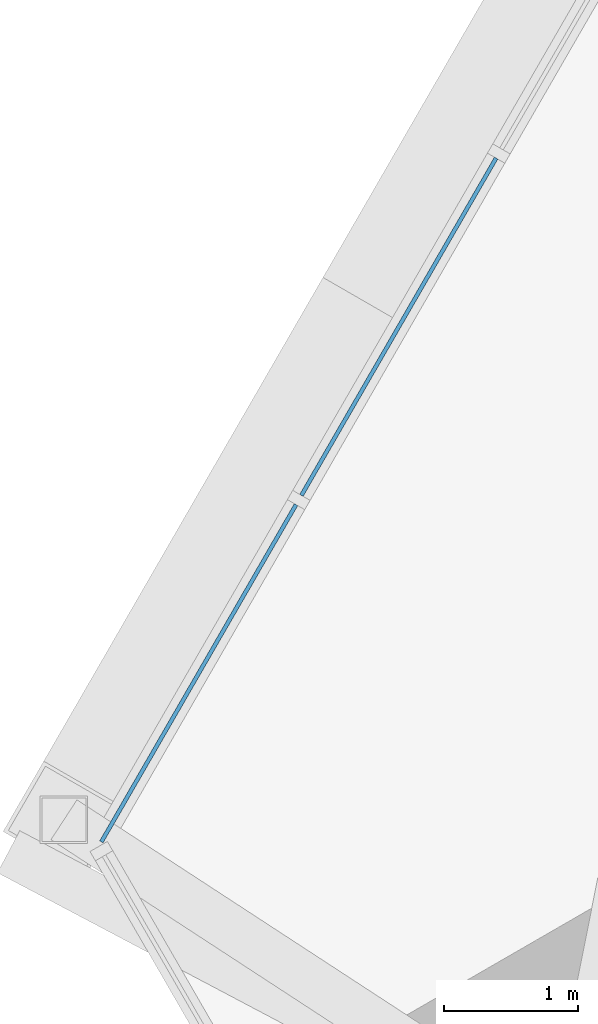
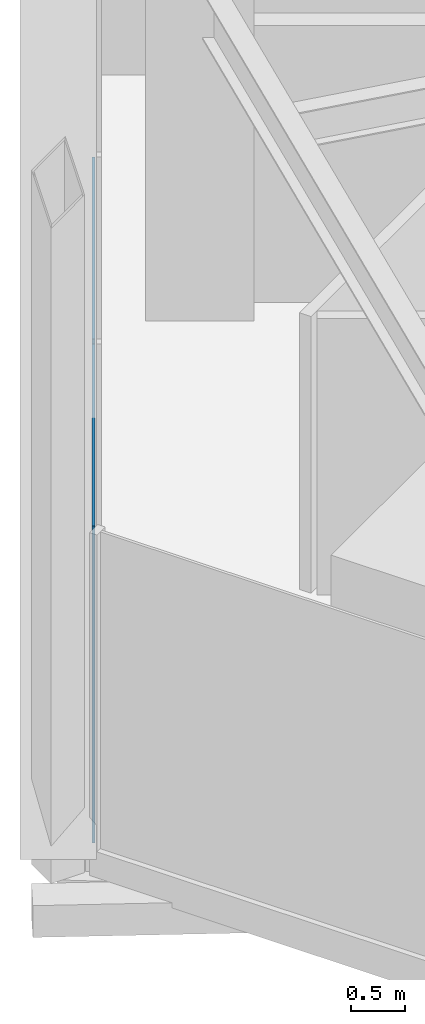
# One storey, part 9 of 24: 2 plates, 2 openings, 1 element without a shape of its own.
"""IFC4 building model written with IfcOpenShell, lengths in metres."""

from ifc_helpers import new_model, si_unit, direction, frame, frame_2d, origin, place, context, subcontext, project, spatial, polyline, rectangle, outline, extrude, material, layer, layer_set, type_object, element, aggregate, save


model = new_model("IFC4")

# Units and contexts
model_context = context("Model", 3, precision=1e-05, world=origin(), true_north=direction((0.0, 1.0)))
body_context = subcontext(model_context, "Body", "Model", "MODEL_VIEW")
ifc_project = project(units=[si_unit("LENGTHUNIT", "METRE"), si_unit("AREAUNIT", "SQUARE_METRE"), si_unit("VOLUMEUNIT", "CUBIC_METRE"), si_unit("PLANEANGLEUNIT", "RADIAN"), si_unit("MASSUNIT", "GRAM", prefix="KILO")], contexts=[model_context])

# Site, building, storey
site_placement = place(None, origin())
site = spatial("IfcSite", under=ifc_project, at=site_placement, CompositionType="ELEMENT")
building_placement = place(site_placement, origin())
building = spatial("IfcBuilding", under=site, at=building_placement, Name="Firuza Gate Tower and Library", CompositionType="ELEMENT")
storey_placement = place(building_placement, frame((0.0, 0.0, 171.39990234375)))
storey = spatial("IfcBuildingStorey", under=building, at=storey_placement, Name="L39", CompositionType="ELEMENT", Elevation=171.39990234375)

# Curtain wall, openings, plates
ifc_material_1 = material(Name="Aluminium 6063-T6", Category="aluminium")
ifc_layer_1 = layer(ifc_material_1, 0.14990234375)
ifc_layer_set_1 = layer_set([ifc_layer_1], Name="Unitised curtain wall, hotel")
curtain_wall_type = type_object("IfcCurtainWallType", Name="Unitised curtain wall, hotel", PredefinedType="NOTDEFINED", material=ifc_layer_set_1)
curtain_wall_placement = place(storey_placement, origin())
curtain_wall = element("IfcCurtainWall", 1, at=curtain_wall_placement, inside=storey, type_object=curtain_wall_type, Name="CW2 L39 W face", PredefinedType="NOTDEFINED")
opening_1_placement = place(curtain_wall_placement, frame((69.840576171875, 105.572509765625, 0.150146484375), z_axis=(0.0, 0.0, 1.0), x_axis=(-0.5, -0.866025, 0.0)))
element("IfcOpeningElement", 2, at=opening_1_placement, cuts=curtain_wall, Name="Opening WD1-005", PredefinedType="OPENING", context=body_context, shape_type="SweptSolid", body=[
    extrude(rectangle(XDim=2.912109375, YDim=3.550048828125, at=frame_2d((1.4560546875, 1.77490234375))), frame((0.0, 0.0849609375, 0.0), z_axis=(0.0, -1.0, 0.0), x_axis=(1.0, 0.0, 0.0)), (0.0, 0.0, 1.0), 0.169921875),
])
opening_2_placement = place(curtain_wall_placement, frame((51.887939453125, 74.4775390625, 0.150146484375), z_axis=(0.0, 0.0, 1.0), x_axis=(-0.5, -0.866025, 0.0)))
element("IfcOpeningElement", 3, at=opening_2_placement, cuts=curtain_wall, Name="Opening WD1-006", PredefinedType="OPENING", context=body_context, shape_type="SweptSolid", body=[
    extrude(rectangle(XDim=2.912109375, YDim=3.550048828125, at=frame_2d((1.4560546875, 1.77490234375))), frame((0.0, 0.0849609375, 0.0), z_axis=(0.0, -1.0, 0.0), x_axis=(1.0, 0.0, 0.0)), (0.0, 0.0, 1.0), 0.169921875),
])
ifc_material_2 = material(Name="Fritted glass", Category="glass")
ifc_layer_2 = layer(ifc_material_2, 0.030029296875)
ifc_layer_set_2 = layer_set([ifc_layer_2], Name="Fritted glass unit, hotel")
plate_type_1 = type_object("IfcPlateType", Name="Fritted glass unit, hotel", PredefinedType="CURTAIN_PANEL", material=ifc_layer_set_2)
plate_1_placement = place(storey_placement, frame((47.38671875, 66.71142578125, 0.150146484375), z_axis=(-0.866026430432, 0.49999822179, 0.0), x_axis=(-0.49999822179, -0.866026430432, 0.0)))
plate_1 = element("IfcPlate", 4, at=plate_1_placement, type_object=plate_type_1, Name="Glass unit", PredefinedType="CURTAIN_PANEL", context=body_context, shape_type="SweptSolid", body=[
    extrude(outline(polyline([(0.0, 0.0), (2.9121197317183585, 0.0), (2.9121197317183585, 3.550048828125), (0.0, 3.550048828125), (0.0, 0.0)])), origin(), (0.0, 0.0, -1.0), 0.030029296875),
])
ifc_material_3 = material(Name="Glazed ceramic tile")
ifc_layer_3 = layer(ifc_material_3, 0.030029296875)
ifc_layer_set_3 = layer_set([ifc_layer_3], Name="Opaque ceramic panel, hotel")
plate_type_2 = type_object("IfcPlateType", Name="Opaque ceramic panel, hotel", PredefinedType="CURTAIN_PANEL", material=ifc_layer_set_3)
plate_2_placement = place(storey_placement, frame((45.890625, 64.1201171875, 0.150146484375), z_axis=(-0.866026430432, 0.49999822179, 0.0), x_axis=(-0.49999822179, -0.866026430432, 0.0)))
plate_2 = element("IfcPlate", 5, at=plate_2_placement, type_object=plate_type_2, Name="Opaque ceramic panel", PredefinedType="CURTAIN_PANEL", context=body_context, shape_type="SweptSolid", body=[
    extrude(outline(polyline([(0.0, 0.0), (2.9121197317183585, 0.0), (2.9121197317183585, 3.550048828125), (0.0, 3.550048828125), (0.0, 0.0)])), origin(), (0.0, 0.0, -1.0), 0.030029296875),
])
aggregate(curtain_wall, [plate_1, plate_2])

save(model, "model.ifc")
